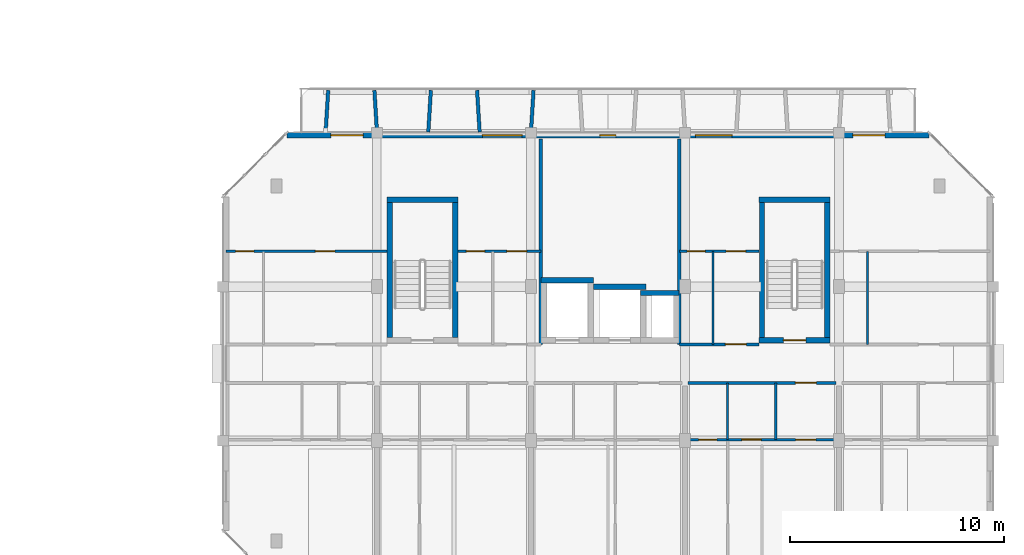
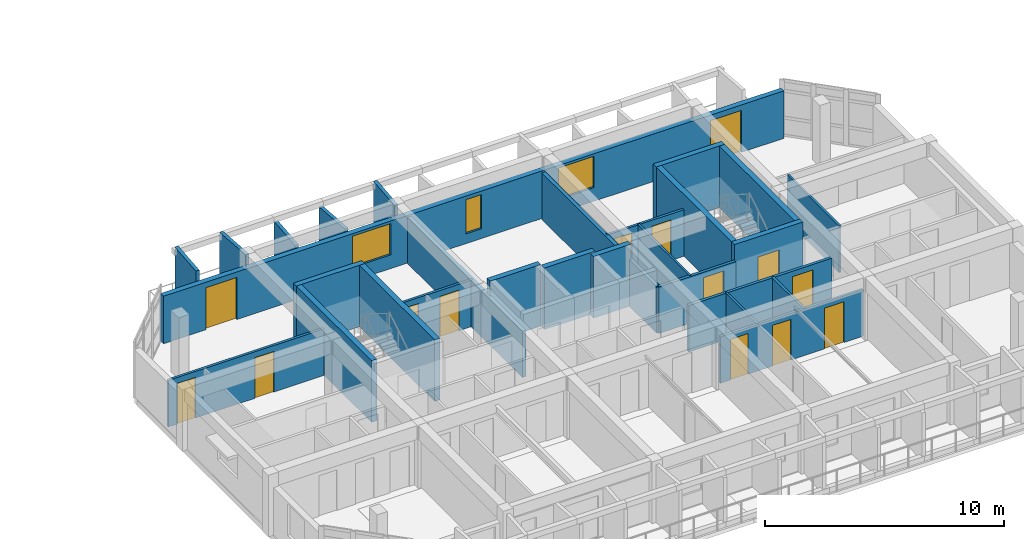
# One storey, part 24 of 44: 28 walls, 14 doors, 3 windows, 17 openings.
"""IFC4 building model written with IfcOpenShell, lengths in metres."""

from ifc_helpers import new_model, si_unit, direction, frame, frame_2d, origin, place, context, subcontext, project, spatial, rectangle, extrude, material, layer, layer_set, type_object, element, fill, save


model = new_model("IFC4")

# Units and contexts
model_context = context("Model", 3, precision=1e-05, world=origin(), true_north=direction((0.0, 1.0)))
body_context = subcontext(model_context, "Body", "Model", "MODEL_VIEW")
ifc_project = project(units=[si_unit("LENGTHUNIT", "METRE"), si_unit("AREAUNIT", "SQUARE_METRE"), si_unit("VOLUMEUNIT", "CUBIC_METRE"), si_unit("PLANEANGLEUNIT", "RADIAN"), si_unit("MASSUNIT", "GRAM", prefix="KILO")], contexts=[model_context])

# Site, building, storey
site_placement = place(None, origin())
site = spatial("IfcSite", under=ifc_project, at=site_placement, CompositionType="ELEMENT")
building_placement = place(site_placement, origin())
building = spatial("IfcBuilding", under=site, at=building_placement, Name="Ochrevale Crest", CompositionType="ELEMENT")
storey_placement = place(building_placement, frame((0.0, 0.0, 21.300048828125)))
storey = spatial("IfcBuildingStorey", under=building, at=storey_placement, Name="L06", CompositionType="ELEMENT", Elevation=21.300048828125)

# Wall, opening, door
ifc_material_1 = material(Name="Gypsum plasterboard", Category="gypsum")
ifc_layer_1 = layer(ifc_material_1, 0.139892578125)
ifc_layer_set_1 = layer_set([ifc_layer_1], Name="Gypsum plasterboard")
wall_type_1 = type_object("IfcWallType", Name="WL-COR-140", PredefinedType="PARTITIONING", material=ifc_layer_set_1)
wall_1_placement = place(storey_placement, frame((151.340087890625, 24.300048828125, 0.0), z_axis=(0.0, 0.0, 1.0), x_axis=(1.0, 0.0, 0.0)))
wall_1 = element("IfcWall", 1, at=wall_1_placement, inside=storey, type_object=wall_type_1, Name="Apartment C-L06-U4 corridor wall", PredefinedType="PARTITIONING", context=body_context, shape_type="SweptSolid", body=[
    extrude(rectangle(XDim=6.919921875, YDim=0.139892578125, at=frame_2d((3.4599609375, 0.0))), origin(), (0.0, 0.0, 1.0), 2.3798828125),
])
opening_1_placement = place(wall_1_placement, frame((6.0, 0.0, 0.0), z_axis=(0.0, 0.0, 1.0), x_axis=(-1.0, 0.0, 0.0)))
opening_1 = element("IfcOpeningElement", 2, at=opening_1_placement, cuts=wall_1, Name="Opening FD01", PredefinedType="OPENING", context=body_context, shape_type="SweptSolid", body=[
    extrude(rectangle(XDim=0.97998046875, YDim=2.10009765625, at=frame_2d((0.489990234375, 1.050048828125))), frame((0.0, 0.080078125, 0.0), z_axis=(0.0, -1.0, 0.0), x_axis=(1.0, 0.0, 0.0)), (0.0, 0.0, 1.0), 0.159912109375),
])
ifc_material_2 = material(Name="Solid-core FSC hardwood", Category="wood")
door_type_1 = type_object("IfcDoorType", Name="DR-APT-950", OperationType="NOTDEFINED", PredefinedType="DOOR", material=ifc_material_2)
door_1_placement = place(opening_1_placement, origin())
door_1 = element("IfcDoor", 3, at=door_1_placement, inside=storey, type_object=door_type_1, Name="Apartment C-L06-U4 entrance door", OperationType="SINGLE_SWING_RIGHT", OverallHeight=2.10009765625, OverallWidth=0.97998046875, PredefinedType="DOOR", context=body_context, shape_type="SweptSolid", body=[
    extrude(rectangle(XDim=0.97998046875, YDim=2.10009765625, at=frame_2d((0.489990234375, 1.050048828125))), frame((0.0, 0.02490234375, 0.0), z_axis=(0.0, -1.0, 0.0), x_axis=(1.0, 0.0, 0.0)), (0.0, 0.0, 1.0), 0.050048828125),
])
fill(opening_1, door_1)

wall_2_placement = place(storey_placement, frame((150.93994140625, 26.10009765625, 0.0), z_axis=(0.0, 0.0, 1.0), x_axis=(1.0, 0.0, 0.0)))
wall_2 = element("IfcWall", 4, at=wall_2_placement, inside=storey, type_object=wall_type_1, Name="Suite C-L06-ME corridor wall", PredefinedType="PARTITIONING", context=body_context, shape_type="SweptSolid", body=[
    extrude(rectangle(XDim=3.719970703125, YDim=0.139892578125, at=frame_2d((1.85986328125, 0.0))), origin(), (0.0, 0.0, 1.0), 2.3798828125),
])
opening_2_placement = place(wall_2_placement, frame((3.131103515625, 0.0, 0.0), z_axis=(0.0, 0.0, 1.0), x_axis=(-1.0, 0.0, 0.0)))
opening_2 = element("IfcOpeningElement", 5, at=opening_2_placement, cuts=wall_2, Name="Opening FD01", PredefinedType="OPENING", context=body_context, shape_type="SweptSolid", body=[
    extrude(rectangle(XDim=0.97998046875, YDim=2.10009765625, at=frame_2d((0.489990234375, 1.050048828125))), frame((0.0, 0.080078125, 0.0), z_axis=(0.0, -1.0, 0.0), x_axis=(1.0, 0.0, 0.0)), (0.0, 0.0, 1.0), 0.159912109375),
])
door_2_placement = place(opening_2_placement, origin())
door_2 = element("IfcDoor", 6, at=door_2_placement, inside=storey, type_object=door_type_1, Name="Suite C-L06-ME entrance door", OperationType="SINGLE_SWING_RIGHT", OverallHeight=2.10009765625, OverallWidth=0.97998046875, PredefinedType="DOOR", context=body_context, shape_type="SweptSolid", body=[
    extrude(rectangle(XDim=0.97998046875, YDim=2.10009765625, at=frame_2d((0.489990234375, 1.050048828125))), frame((0.0, 0.02490234375, 0.0), z_axis=(0.0, -1.0, 0.0), x_axis=(1.0, 0.0, 0.0)), (0.0, 0.0, 1.0), 0.050048828125),
])
fill(opening_2, door_2)

# Walls
ifc_material_3 = material(Name="Precast concrete C50/60", Category="concrete")
ifc_layer_2 = layer(ifc_material_3, 0.2548828125)
ifc_layer_set_2 = layer_set([ifc_layer_2], Name="Precast concrete C50/60")
wall_type_2 = type_object("IfcWallType", Name="WL-CORE-255", PredefinedType="SHEAR", material=ifc_layer_set_2)
wall_3_placement = place(storey_placement, frame((137.2724609375, 32.85009765625, 0.0), z_axis=(0.0, 0.0, 1.0), x_axis=(1.0, 0.0, 0.0)))
element("IfcWall", 7, at=wall_3_placement, inside=storey, type_object=wall_type_2, Name="Block C L06 Stair 1 precast core shear wall N", PredefinedType="SHEAR", context=body_context, shape_type="SweptSolid", body=[
    extrude(rectangle(XDim=3.304931640625, YDim=0.2548828125, at=frame_2d((1.65234375, 0.0))), origin(), (0.0, 0.0, 1.0), 3.14990234375),
])
for number, where, z_axis, x_axis, name in (
    (8, (137.39990234375, 26.427490234375, 0.0), (0.0, 0.0, 1.0), (0.0, 1.0, 0.0), "Block C L06 Stair 1 precast core shear wall W"),
    (9, (140.449951171875, 26.427490234375, 0.0), (0.0, 0.0, 1.0), (0.0, 1.0, 0.0), "Block C L06 Stair 1 precast core shear wall E"),
):
    element("IfcWall", number, at=place(storey_placement, frame(where, z_axis=z_axis, x_axis=x_axis)), inside=storey, type_object=wall_type_2, Name=name, PredefinedType="SHEAR", context=body_context, shape_type="SweptSolid", body=[
        extrude(rectangle(XDim=6.294921875, YDim=0.2548828125, at=frame_2d((3.1474609375, 0.0))), origin(), (0.0, 0.0, 1.0), 3.14990234375),
    ])

# Wall, opening, door
wall_4_placement = place(storey_placement, frame((154.672607421875, 26.300048828125, 0.0), z_axis=(0.0, 0.0, 1.0), x_axis=(1.0, 0.0, 0.0)))
wall_4 = element("IfcWall", 10, at=wall_4_placement, inside=storey, type_object=wall_type_2, Name="Block C L06 Stair 2 precast core shear wall S", PredefinedType="SHEAR", context=body_context, shape_type="SweptSolid", body=[
    extrude(rectangle(XDim=3.304931640625, YDim=0.2548828125, at=frame_2d((1.65234375, 0.0))), origin(), (0.0, 0.0, 1.0), 3.14990234375),
])
opening_3_placement = place(wall_4_placement, frame((1.12744140625, 0.0, 0.0)))
opening_3 = element("IfcOpeningElement", 11, at=opening_3_placement, cuts=wall_4, Name="Opening FD03", PredefinedType="OPENING", context=body_context, shape_type="SweptSolid", body=[
    extrude(rectangle(XDim=1.050048828125, YDim=2.1201171875, at=frame_2d((0.52490234375, 1.06005859375))), frame((0.0, 0.137451171875, 0.0), z_axis=(0.0, -1.0, 0.0), x_axis=(1.0, 0.0, 0.0)), (0.0, 0.0, 1.0), 0.27490234375),
])
door_type_2 = type_object("IfcDoorType", Name="DR-ST-1050", OperationType="NOTDEFINED", PredefinedType="DOOR", material=ifc_material_2)
door_3_placement = place(opening_3_placement, origin())
door_3 = element("IfcDoor", 12, at=door_3_placement, inside=storey, type_object=door_type_2, Name="Block C L06 fire stair 2 door", OperationType="SINGLE_SWING_LEFT", OverallHeight=2.1201171875, OverallWidth=1.050048828125, PredefinedType="DOOR", context=body_context, shape_type="SweptSolid", body=[
    extrude(rectangle(XDim=1.050048828125, YDim=2.1201171875, at=frame_2d((0.52490234375, 1.06005859375))), frame((0.0, 0.02490234375, 0.0), z_axis=(0.0, -1.0, 0.0), x_axis=(1.0, 0.0, 0.0)), (0.0, 0.0, 1.0), 0.050048828125),
])
fill(opening_3, door_3)

# Walls
wall_5_placement = place(storey_placement, frame((154.672607421875, 32.85009765625, 0.0), z_axis=(0.0, 0.0, 1.0), x_axis=(1.0, 0.0, 0.0)))
element("IfcWall", 13, at=wall_5_placement, inside=storey, type_object=wall_type_2, Name="Block C L06 Stair 2 precast core shear wall N", PredefinedType="SHEAR", context=body_context, shape_type="SweptSolid", body=[
    extrude(rectangle(XDim=3.304931640625, YDim=0.2548828125, at=frame_2d((1.65234375, 0.0))), origin(), (0.0, 0.0, 1.0), 3.14990234375),
])
for number, where, z_axis, x_axis, name in (
    (14, (154.800048828125, 26.427490234375, 0.0), (0.0, 0.0, 1.0), (0.0, 1.0, 0.0), "Block C L06 Stair 2 precast core shear wall W"),
    (15, (157.85009765625, 26.427490234375, 0.0), (0.0, 0.0, 1.0), (0.0, 1.0, 0.0), "Block C L06 Stair 2 precast core shear wall E"),
):
    element("IfcWall", number, at=place(storey_placement, frame(where, z_axis=z_axis, x_axis=x_axis)), inside=storey, type_object=wall_type_2, Name=name, PredefinedType="SHEAR", context=body_context, shape_type="SweptSolid", body=[
        extrude(rectangle(XDim=6.294921875, YDim=0.2548828125, at=frame_2d((3.1474609375, 0.0))), origin(), (0.0, 0.0, 1.0), 3.14990234375),
    ])
wall_6_placement = place(storey_placement, frame((144.472412109375, 29.10009765625, 0.0), z_axis=(0.0, 0.0, 1.0), x_axis=(1.0, 0.0, 0.0)))
element("IfcWall", 16, at=wall_6_placement, inside=storey, type_object=wall_type_2, Name="Block C L06 Lift 1 precast shaft shear wall N", PredefinedType="SHEAR", context=body_context, shape_type="SweptSolid", body=[
    extrude(rectangle(XDim=2.455078125, YDim=0.2548828125, at=frame_2d((1.2275390625, 0.0))), origin(), (0.0, 0.0, 1.0), 3.14990234375),
])
wall_7_placement = place(storey_placement, frame((146.922607421875, 28.800048828125, 0.0), z_axis=(0.0, 0.0, 1.0), x_axis=(1.0, 0.0, 0.0)))
element("IfcWall", 17, at=wall_7_placement, inside=storey, type_object=wall_type_2, Name="Block C L06 Lift 2 precast shaft shear wall N", PredefinedType="SHEAR", context=body_context, shape_type="SweptSolid", body=[
    extrude(rectangle(XDim=2.454833984375, YDim=0.2548828125, at=frame_2d((1.2275390625, 0.0))), origin(), (0.0, 0.0, 1.0), 3.14990234375),
])
wall_8_placement = place(storey_placement, frame((149.12255859375, 28.5, 0.0), z_axis=(0.0, 0.0, 1.0), x_axis=(1.0, 0.0, 0.0)))
element("IfcWall", 18, at=wall_8_placement, inside=storey, type_object=wall_type_2, Name="Block C L06 services riser shaft core wall N", PredefinedType="SHEAR", context=body_context, shape_type="SweptSolid", body=[
    extrude(rectangle(XDim=1.804931640625, YDim=0.2548828125, at=frame_2d((0.90234375, 0.0))), origin(), (0.0, 0.0, 1.0), 3.14990234375),
])

# Wall, openings, doors, windows
ifc_material_4 = material(Name="Precast concrete C40/50", Category="concrete")
ifc_layer_3 = layer(ifc_material_4, 0.25)
ifc_layer_set_3 = layer_set([ifc_layer_3], Name="Precast concrete C40/50")
wall_type_3 = type_object("IfcWallType", Name="WL-EXT-GOLD-250", PredefinedType="SOLIDWALL", material=ifc_layer_set_3)
wall_9_placement = place(storey_placement, frame((162.60009765625, 35.875, 0.0), z_axis=(0.0, 0.0, 1.0), x_axis=(-1.0, 0.0, 0.0)))
wall_9 = element("IfcWall", 19, at=wall_9_placement, inside=storey, type_object=wall_type_3, Name="Block C L06 external facade wall E5", PredefinedType="SOLIDWALL", context=body_context, shape_type="SweptSolid", body=[
    extrude(rectangle(XDim=30.0, YDim=0.25, at=frame_2d((15.0, 0.0))), origin(), (0.0, 0.0, 1.0), 2.429931640625),
])
opening_4_placement = place(wall_9_placement, frame((27.949951171875, 0.0, 0.0), z_axis=(0.0, 0.0, 1.0), x_axis=(-1.0, 0.0, 0.0)))
opening_4 = element("IfcOpeningElement", 20, at=opening_4_placement, cuts=wall_9, Name="Opening BD01", PredefinedType="OPENING", context=body_context, shape_type="SweptSolid", body=[
    extrude(rectangle(XDim=1.5, YDim=2.14990234375, at=frame_2d((0.75, 1.074951171875))), frame((0.0, 0.135009765625, 0.0), z_axis=(0.0, -1.0, 0.0), x_axis=(1.0, 0.0, 0.0)), (0.0, 0.0, 1.0), 0.27001953125),
])
opening_5_placement = place(wall_9_placement, frame((3.550048828125, 0.0, 0.0), z_axis=(0.0, 0.0, 1.0), x_axis=(-1.0, 0.0, 0.0)))
opening_5 = element("IfcOpeningElement", 21, at=opening_5_placement, cuts=wall_9, Name="Opening BD01", PredefinedType="OPENING", context=body_context, shape_type="SweptSolid", body=[
    extrude(rectangle(XDim=1.5, YDim=2.14990234375, at=frame_2d((0.75, 1.074951171875))), frame((0.0, 0.135009765625, 0.0), z_axis=(0.0, -1.0, 0.0), x_axis=(1.0, 0.0, 0.0)), (0.0, 0.0, 1.0), 0.27001953125),
])
opening_6_placement = place(wall_9_placement, frame((14.625, 0.0, 0.5)))
opening_6 = element("IfcOpeningElement", 22, at=opening_6_placement, cuts=wall_9, Name="Opening W16", PredefinedType="OPENING", context=body_context, shape_type="SweptSolid", body=[
    extrude(rectangle(XDim=0.75, YDim=1.75, at=frame_2d((0.375, 0.875))), frame((0.0, 0.135009765625, 0.0), z_axis=(0.0, -1.0, 0.0), x_axis=(1.0, 0.0, 0.0)), (0.0, 0.0, 1.0), 0.27001953125),
])
opening_7_placement = place(wall_9_placement, frame((9.195068359375, 0.0, 0.699951171875)))
opening_7 = element("IfcOpeningElement", 23, at=opening_7_placement, cuts=wall_9, Name="Opening W10", PredefinedType="OPENING", context=body_context, shape_type="SweptSolid", body=[
    extrude(rectangle(XDim=1.719970703125, YDim=1.60009765625, at=frame_2d((0.85986328125, 0.800048828125))), frame((0.0, 0.135009765625, 0.0), z_axis=(0.0, -1.0, 0.0), x_axis=(1.0, 0.0, 0.0)), (0.0, 0.0, 1.0), 0.27001953125),
])
opening_8_placement = place(wall_9_placement, frame((19.014892578125, 0.0, 0.699951171875)))
opening_8 = element("IfcOpeningElement", 24, at=opening_8_placement, cuts=wall_9, Name="Opening W11", PredefinedType="OPENING", context=body_context, shape_type="SweptSolid", body=[
    extrude(rectangle(XDim=1.860107421875, YDim=1.60009765625, at=frame_2d((0.93017578125, 0.800048828125))), frame((0.0, 0.135009765625, 0.0), z_axis=(0.0, -1.0, 0.0), x_axis=(1.0, 0.0, 0.0)), (0.0, 0.0, 1.0), 0.27001953125),
])
ifc_material_5 = material(Name="Anodised aluminium 6063-T5 and toughened glass", Category="aluminium")
door_type_3 = type_object("IfcDoorType", Name="DR-BAL-1500", OperationType="NOTDEFINED", PredefinedType="DOOR", material=ifc_material_5)
door_4_placement = place(opening_4_placement, origin())
door_4 = element("IfcDoor", 25, at=door_4_placement, inside=storey, type_object=door_type_3, Name="Block C L06 balcony door N1", OperationType="SINGLE_SWING_RIGHT", OverallHeight=2.14990234375, OverallWidth=1.5, PredefinedType="DOOR", context=body_context, shape_type="SweptSolid", body=[
    extrude(rectangle(XDim=1.5, YDim=2.14990234375, at=frame_2d((0.75, 1.074951171875))), frame((0.0, 0.02490234375, 0.0), z_axis=(0.0, -1.0, 0.0), x_axis=(1.0, 0.0, 0.0)), (0.0, 0.0, 1.0), 0.050048828125),
])
fill(opening_4, door_4)
door_5_placement = place(opening_5_placement, origin())
door_5 = element("IfcDoor", 26, at=door_5_placement, inside=storey, type_object=door_type_3, Name="Block C L06 balcony door N5", OperationType="SINGLE_SWING_LEFT", OverallHeight=2.14990234375, OverallWidth=1.5, PredefinedType="DOOR", context=body_context, shape_type="SweptSolid", body=[
    extrude(rectangle(XDim=1.5, YDim=2.14990234375, at=frame_2d((0.75, 1.074951171875))), frame((0.0, 0.02490234375, 0.0), z_axis=(0.0, -1.0, 0.0), x_axis=(1.0, 0.0, 0.0)), (0.0, 0.0, 1.0), 0.050048828125),
])
fill(opening_5, door_5)
ifc_material_6 = material(Name="Anodised aluminium 6063-T5 and low-E double glazing", Category="aluminium")
window_type_1 = type_object("IfcWindowType", Name="WIN-W10", PartitioningType="SINGLE_PANEL", PredefinedType="WINDOW", material=ifc_material_6)
window_1_placement = place(opening_7_placement, origin())
window_1 = element("IfcWindow", 27, at=window_1_placement, inside=storey, type_object=window_type_1, Name="Block C L06 Suite C-L06-ME Garden Alcove Studio window", OverallHeight=1.60009765625, OverallWidth=1.719970703125, PartitioningType="SINGLE_PANEL", PredefinedType="WINDOW", context=body_context, shape_type="SweptSolid", body=[
    extrude(rectangle(XDim=1.719970703125, YDim=1.60009765625, at=frame_2d((0.85986328125, 0.800048828125))), frame((0.0, 0.030029296875, 0.0), z_axis=(0.0, -1.0, 0.0), x_axis=(1.0, 0.0, 0.0)), (0.0, 0.0, 1.0), 0.06005859375),
])
fill(opening_7, window_1)
window_type_2 = type_object("IfcWindowType", Name="WIN-W11", PartitioningType="SINGLE_PANEL", PredefinedType="WINDOW", material=ifc_material_6)
window_2_placement = place(opening_8_placement, origin())
window_2 = element("IfcWindow", 28, at=window_2_placement, inside=storey, type_object=window_type_2, Name="Block C L06 Suite C-L06-MW Courtyard Studio Living window", OverallHeight=1.60009765625, OverallWidth=1.860107421875, PartitioningType="SINGLE_PANEL", PredefinedType="WINDOW", context=body_context, shape_type="SweptSolid", body=[
    extrude(rectangle(XDim=1.860107421875, YDim=1.60009765625, at=frame_2d((0.93017578125, 0.800048828125))), frame((0.0, 0.030029296875, 0.0), z_axis=(0.0, -1.0, 0.0), x_axis=(1.0, 0.0, 0.0)), (0.0, 0.0, 1.0), 0.06005859375),
])
fill(opening_8, window_2)
window_type_3 = type_object("IfcWindowType", Name="WIN-W16", PartitioningType="SINGLE_PANEL", PredefinedType="WINDOW", material=ifc_material_6)
window_3_placement = place(opening_6_placement, origin())
window_3 = element("IfcWindow", 29, at=window_3_placement, inside=storey, type_object=window_type_3, Name="Block C L06 core lancet window", OverallHeight=1.75, OverallWidth=0.75, PartitioningType="SINGLE_PANEL", PredefinedType="WINDOW", context=body_context, shape_type="SweptSolid", body=[
    extrude(rectangle(XDim=0.75, YDim=1.75, at=frame_2d((0.375, 0.875))), frame((0.0, 0.030029296875, 0.0), z_axis=(0.0, -1.0, 0.0), x_axis=(1.0, 0.0, 0.0)), (0.0, 0.0, 1.0), 0.06005859375),
])
fill(opening_6, window_3)

# Walls
ifc_layer_4 = layer(ifc_material_4, 0.1650390625)
ifc_layer_set_4 = layer_set([ifc_layer_4], Name="Precast concrete C40/50")
wall_type_4 = type_object("IfcWallType", Name="WL-HC-CHEEK-165", PredefinedType="ELEMENTEDWALL", material=ifc_layer_set_4)
for number, where, z_axis, x_axis, name in (
    (30, (134.39990234375, 36.02001953125, 0.0), (0.0, 0.0, 1.0), (0.061170732449, 0.998127317276, 0.0), "Block C L06 N precast honeycomb cheek 1"),
    (31, (136.800048828125, 36.02001953125, 0.0), (0.0, 0.0, 1.0), (-0.061170732449, 0.998127317276, 0.0), "Block C L06 N precast honeycomb cheek 2"),
):
    element("IfcWall", number, at=place(storey_placement, frame(where, z_axis=z_axis, x_axis=x_axis)), inside=storey, type_object=wall_type_4, Name=name, PredefinedType="ELEMENTEDWALL", context=body_context, shape_type="SweptSolid", body=[
        extrude(rectangle(XDim=1.963623046875, YDim=0.1650390625, at=frame_2d((0.98193359375, 0.0))), origin(), (0.0, 0.0, 1.0), 2.949951171875),
    ])
for number, where, z_axis, x_axis, name in (
    (32, (139.199951171875, 36.02001953125, 0.0), (0.0, 0.0, 1.0), (0.061170732449, 0.998127317276, 0.0), "Block C L06 N precast honeycomb cheek 3"),
    (33, (141.60009765625, 36.02001953125, 0.0), (0.0, 0.0, 1.0), (-0.061170732449, 0.998127317276, 0.0), "Block C L06 N precast honeycomb cheek 4"),
):
    element("IfcWall", number, at=place(storey_placement, frame(where, z_axis=z_axis, x_axis=x_axis)), inside=storey, type_object=wall_type_4, Name=name, PredefinedType="ELEMENTEDWALL", context=body_context, shape_type="SweptSolid", body=[
        extrude(rectangle(XDim=1.963623046875, YDim=0.1650390625, at=frame_2d((0.98193359375, 0.0))), origin(), (0.0, 0.0, 1.0), 2.579833984375),
    ])
wall_10_placement = place(storey_placement, frame((144.0, 36.02001953125, 0.0), z_axis=(0.0, 0.0, 1.0), x_axis=(0.061170732449, 0.998127317276, 0.0)))
element("IfcWall", 34, at=wall_10_placement, inside=storey, type_object=wall_type_4, Name="Block C L06 N precast honeycomb cheek 5", PredefinedType="ELEMENTEDWALL", context=body_context, shape_type="SweptSolid", body=[
    extrude(rectangle(XDim=1.963623046875, YDim=0.1650390625, at=frame_2d((0.98193359375, 0.0))), origin(), (0.0, 0.0, 1.0), 2.949951171875),
])
ifc_layer_5 = layer(ifc_material_1, 0.1201171875)
ifc_layer_set_5 = layer_set([ifc_layer_5], Name="Gypsum plasterboard")
wall_type_5 = type_object("IfcWallType", Name="WL-PART-120", PredefinedType="PARTITIONING", material=ifc_layer_set_5)
wall_11_placement = place(storey_placement, frame((155.43994140625, 21.64990234375, 0.0), z_axis=(0.0, 0.0, 1.0), x_axis=(0.0, 1.0, 0.0)))
element("IfcWall", 35, at=wall_11_placement, inside=storey, type_object=wall_type_5, Name="Apartment C-L06-U4 kitchen-foyer wall", PredefinedType="PARTITIONING", context=body_context, shape_type="SweptSolid", body=[
    extrude(rectangle(XDim=2.650146484375, YDim=0.1201171875, at=frame_2d((1.3251953125, 0.0))), origin(), (0.0, 0.0, 1.0), 2.3798828125),
])

# Wall, openings, doors
wall_12_placement = place(storey_placement, frame((151.340087890625, 21.64990234375, 0.0), z_axis=(0.0, 0.0, 1.0), x_axis=(1.0, 0.0, 0.0)))
wall_12 = element("IfcWall", 36, at=wall_12_placement, inside=storey, type_object=wall_type_5, Name="Apartment C-L06-U4 central partition", PredefinedType="PARTITIONING", context=body_context, shape_type="SweptSolid", body=[
    extrude(rectangle(XDim=6.919921875, YDim=0.1201171875, at=frame_2d((3.4599609375, 0.0))), origin(), (0.0, 0.0, 1.0), 2.3798828125),
])
opening_9_placement = place(wall_12_placement, frame((0.5, 0.0, 0.0)))
opening_9 = element("IfcOpeningElement", 37, at=opening_9_placement, cuts=wall_12, Name="Opening ID01", PredefinedType="OPENING", context=body_context, shape_type="SweptSolid", body=[
    extrude(rectangle(XDim=0.85009765625, YDim=2.080078125, at=frame_2d((0.425048828125, 1.0400390625))), frame((0.0, 0.070068359375, 0.0), z_axis=(0.0, -1.0, 0.0), x_axis=(1.0, 0.0, 0.0)), (0.0, 0.0, 1.0), 0.14013671875),
])
opening_10_placement = place(wall_12_placement, frame((3.4248046875, 0.0, 0.0), z_axis=(0.0, 0.0, 1.0), x_axis=(-1.0, 0.0, 0.0)))
opening_10 = element("IfcOpeningElement", 38, at=opening_10_placement, cuts=wall_12, Name="Opening ID02", PredefinedType="OPENING", context=body_context, shape_type="SweptSolid", body=[
    extrude(rectangle(XDim=0.89990234375, YDim=2.080078125, at=frame_2d((0.449951171875, 1.0400390625))), frame((0.0, 0.070068359375, 0.0), z_axis=(0.0, -1.0, 0.0), x_axis=(1.0, 0.0, 0.0)), (0.0, 0.0, 1.0), 0.14013671875),
])
opening_11_placement = place(wall_12_placement, frame((5.034912109375, 0.0, 0.0)))
opening_11 = element("IfcOpeningElement", 39, at=opening_11_placement, cuts=wall_12, Name="Opening ID06", PredefinedType="OPENING", context=body_context, shape_type="SweptSolid", body=[
    extrude(rectangle(XDim=0.949951171875, YDim=2.080078125, at=frame_2d((0.47509765625, 1.0400390625))), frame((0.0, 0.070068359375, 0.0), z_axis=(0.0, -1.0, 0.0), x_axis=(1.0, 0.0, 0.0)), (0.0, 0.0, 1.0), 0.14013671875),
])
door_type_4 = type_object("IfcDoorType", Name="DR-INT-900", OperationType="NOTDEFINED", PredefinedType="DOOR", material=ifc_material_2)
door_6_placement = place(opening_10_placement, origin())
door_6 = element("IfcDoor", 40, at=door_6_placement, inside=storey, type_object=door_type_4, Name="Apartment C-L06-U4 Kitchen door", OperationType="SINGLE_SWING_RIGHT", OverallHeight=2.080078125, OverallWidth=0.89990234375, PredefinedType="DOOR", context=body_context, shape_type="SweptSolid", body=[
    extrude(rectangle(XDim=0.89990234375, YDim=2.080078125, at=frame_2d((0.449951171875, 1.0400390625))), frame((0.0, 0.02490234375, 0.0), z_axis=(0.0, -1.0, 0.0), x_axis=(1.0, 0.0, 0.0)), (0.0, 0.0, 1.0), 0.050048828125),
])
fill(opening_10, door_6)
door_type_5 = type_object("IfcDoorType", Name="DR-INT-950", OperationType="NOTDEFINED", PredefinedType="DOOR", material=ifc_material_2)
door_7_placement = place(opening_11_placement, origin())
door_7 = element("IfcDoor", 41, at=door_7_placement, inside=storey, type_object=door_type_5, Name="Apartment C-L06-U4 Living Foyer door", OperationType="SINGLE_SWING_LEFT", OverallHeight=2.080078125, OverallWidth=0.949951171875, PredefinedType="DOOR", context=body_context, shape_type="SweptSolid", body=[
    extrude(rectangle(XDim=0.949951171875, YDim=2.080078125, at=frame_2d((0.47509765625, 1.0400390625))), frame((0.0, 0.02490234375, 0.0), z_axis=(0.0, -1.0, 0.0), x_axis=(1.0, 0.0, 0.0)), (0.0, 0.0, 1.0), 0.050048828125),
])
fill(opening_11, door_7)
door_type_6 = type_object("IfcDoorType", Name="DR-WC-850", OperationType="NOTDEFINED", PredefinedType="DOOR", material=ifc_material_2)
door_8_placement = place(opening_9_placement, origin())
door_8 = element("IfcDoor", 42, at=door_8_placement, inside=storey, type_object=door_type_6, Name="Apartment C-L06-U4 Bathroom door", OperationType="SINGLE_SWING_LEFT", OverallHeight=2.080078125, OverallWidth=0.85009765625, PredefinedType="DOOR", context=body_context, shape_type="SweptSolid", body=[
    extrude(rectangle(XDim=0.85009765625, YDim=2.080078125, at=frame_2d((0.425048828125, 1.0400390625))), frame((0.0, 0.02490234375, 0.0), z_axis=(0.0, -1.0, 0.0), x_axis=(1.0, 0.0, 0.0)), (0.0, 0.0, 1.0), 0.050048828125),
])
fill(opening_9, door_8)

wall_13_placement = place(storey_placement, frame((129.739990234375, 30.449951171875, 0.0), z_axis=(0.0, 0.0, 1.0), x_axis=(1.0, 0.0, 0.0)))
wall_13 = element("IfcWall", 43, at=wall_13_placement, inside=storey, type_object=wall_type_5, Name="Suite C-L06-CW internal wall", PredefinedType="PARTITIONING", context=body_context, shape_type="SweptSolid", body=[
    extrude(rectangle(XDim=7.52001953125, YDim=0.1201171875, at=frame_2d((3.760009765625, 0.0))), origin(), (0.0, 0.0, 1.0), 2.3798828125),
])
opening_12_placement = place(wall_13_placement, frame((0.449951171875, 0.0, 0.0)))
opening_12 = element("IfcOpeningElement", 44, at=opening_12_placement, cuts=wall_13, Name="Opening ID01", PredefinedType="OPENING", context=body_context, shape_type="SweptSolid", body=[
    extrude(rectangle(XDim=0.85009765625, YDim=2.080078125, at=frame_2d((0.425048828125, 1.0400390625))), frame((0.0, 0.070068359375, 0.0), z_axis=(0.0, -1.0, 0.0), x_axis=(1.0, 0.0, 0.0)), (0.0, 0.0, 1.0), 0.14013671875),
])
opening_13_placement = place(wall_13_placement, frame((5.094970703125, 0.0, 0.0), z_axis=(0.0, 0.0, 1.0), x_axis=(-1.0, 0.0, 0.0)))
opening_13 = element("IfcOpeningElement", 45, at=opening_13_placement, cuts=wall_13, Name="Opening ID04", PredefinedType="OPENING", context=body_context, shape_type="SweptSolid", body=[
    extrude(rectangle(XDim=0.919921875, YDim=2.080078125, at=frame_2d((0.4599609375, 1.0400390625))), frame((0.0, 0.070068359375, 0.0), z_axis=(0.0, -1.0, 0.0), x_axis=(1.0, 0.0, 0.0)), (0.0, 0.0, 1.0), 0.14013671875),
])
door_type_7 = type_object("IfcDoorType", Name="DR-INT-920", OperationType="NOTDEFINED", PredefinedType="DOOR", material=ifc_material_2)
door_9_placement = place(opening_13_placement, origin())
door_9 = element("IfcDoor", 46, at=door_9_placement, inside=storey, type_object=door_type_7, Name="Suite C-L06-CW Garden Alcove Studio door", OperationType="SINGLE_SWING_RIGHT", OverallHeight=2.080078125, OverallWidth=0.919921875, PredefinedType="DOOR", context=body_context, shape_type="SweptSolid", body=[
    extrude(rectangle(XDim=0.919921875, YDim=2.080078125, at=frame_2d((0.4599609375, 1.0400390625))), frame((0.0, 0.02490234375, 0.0), z_axis=(0.0, -1.0, 0.0), x_axis=(1.0, 0.0, 0.0)), (0.0, 0.0, 1.0), 0.050048828125),
])
fill(opening_13, door_9)
door_10_placement = place(opening_12_placement, origin())
door_10 = element("IfcDoor", 47, at=door_10_placement, inside=storey, type_object=door_type_6, Name="Suite C-L06-CW Bathroom door", OperationType="SINGLE_SWING_LEFT", OverallHeight=2.080078125, OverallWidth=0.85009765625, PredefinedType="DOOR", context=body_context, shape_type="SweptSolid", body=[
    extrude(rectangle(XDim=0.85009765625, YDim=2.080078125, at=frame_2d((0.425048828125, 1.0400390625))), frame((0.0, 0.02490234375, 0.0), z_axis=(0.0, -1.0, 0.0), x_axis=(1.0, 0.0, 0.0)), (0.0, 0.0, 1.0), 0.050048828125),
])
fill(opening_12, door_10)

wall_14_placement = place(storey_placement, frame((140.590087890625, 30.449951171875, 0.0), z_axis=(0.0, 0.0, 1.0), x_axis=(1.0, 0.0, 0.0)))
wall_14 = element("IfcWall", 48, at=wall_14_placement, inside=storey, type_object=wall_type_5, Name="Suite C-L06-MW internal wall", PredefinedType="PARTITIONING", context=body_context, shape_type="SweptSolid", body=[
    extrude(rectangle(XDim=3.869873046875, YDim=0.1201171875, at=frame_2d((1.93505859375, 0.0))), origin(), (0.0, 0.0, 1.0), 2.3798828125),
])
opening_14_placement = place(wall_14_placement, frame((1.23779296875, 0.0, 0.0), z_axis=(0.0, 0.0, 1.0), x_axis=(-1.0, 0.0, 0.0)))
opening_14 = element("IfcOpeningElement", 49, at=opening_14_placement, cuts=wall_14, Name="Opening ID01", PredefinedType="OPENING", context=body_context, shape_type="SweptSolid", body=[
    extrude(rectangle(XDim=0.85009765625, YDim=2.080078125, at=frame_2d((0.425048828125, 1.0400390625))), frame((0.0, 0.070068359375, 0.0), z_axis=(0.0, -1.0, 0.0), x_axis=(1.0, 0.0, 0.0)), (0.0, 0.0, 1.0), 0.14013671875),
])
opening_15_placement = place(wall_14_placement, frame((2.28759765625, 0.0, 0.0)))
opening_15 = element("IfcOpeningElement", 50, at=opening_15_placement, cuts=wall_14, Name="Opening ID04", PredefinedType="OPENING", context=body_context, shape_type="SweptSolid", body=[
    extrude(rectangle(XDim=0.919921875, YDim=2.080078125, at=frame_2d((0.4599609375, 1.0400390625))), frame((0.0, 0.070068359375, 0.0), z_axis=(0.0, -1.0, 0.0), x_axis=(1.0, 0.0, 0.0)), (0.0, 0.0, 1.0), 0.14013671875),
])
door_11_placement = place(opening_15_placement, origin())
door_11 = element("IfcDoor", 51, at=door_11_placement, inside=storey, type_object=door_type_7, Name="Suite C-L06-MW Courtyard Studio Living door", OperationType="SINGLE_SWING_LEFT", OverallHeight=2.080078125, OverallWidth=0.919921875, PredefinedType="DOOR", context=body_context, shape_type="SweptSolid", body=[
    extrude(rectangle(XDim=0.919921875, YDim=2.080078125, at=frame_2d((0.4599609375, 1.0400390625))), frame((0.0, 0.02490234375, 0.0), z_axis=(0.0, -1.0, 0.0), x_axis=(1.0, 0.0, 0.0)), (0.0, 0.0, 1.0), 0.050048828125),
])
fill(opening_15, door_11)
door_12_placement = place(opening_14_placement, origin())
door_12 = element("IfcDoor", 52, at=door_12_placement, inside=storey, type_object=door_type_6, Name="Suite C-L06-MW Bathroom door", OperationType="SINGLE_SWING_RIGHT", OverallHeight=2.080078125, OverallWidth=0.85009765625, PredefinedType="DOOR", context=body_context, shape_type="SweptSolid", body=[
    extrude(rectangle(XDim=0.85009765625, YDim=2.080078125, at=frame_2d((0.425048828125, 1.0400390625))), frame((0.0, 0.02490234375, 0.0), z_axis=(0.0, -1.0, 0.0), x_axis=(1.0, 0.0, 0.0)), (0.0, 0.0, 1.0), 0.050048828125),
])
fill(opening_14, door_12)

wall_15_placement = place(storey_placement, frame((150.93994140625, 30.449951171875, 0.0), z_axis=(0.0, 0.0, 1.0), x_axis=(1.0, 0.0, 0.0)))
wall_15 = element("IfcWall", 53, at=wall_15_placement, inside=storey, type_object=wall_type_5, Name="Suite C-L06-ME internal wall", PredefinedType="PARTITIONING", context=body_context, shape_type="SweptSolid", body=[
    extrude(rectangle(XDim=3.719970703125, YDim=0.1201171875, at=frame_2d((1.85986328125, 0.0))), origin(), (0.0, 0.0, 1.0), 2.3798828125),
])
opening_16_placement = place(wall_15_placement, frame((0.356201171875, 0.0, 0.0)))
opening_16 = element("IfcOpeningElement", 54, at=opening_16_placement, cuts=wall_15, Name="Opening ID01", PredefinedType="OPENING", context=body_context, shape_type="SweptSolid", body=[
    extrude(rectangle(XDim=0.85009765625, YDim=2.080078125, at=frame_2d((0.425048828125, 1.0400390625))), frame((0.0, 0.070068359375, 0.0), z_axis=(0.0, -1.0, 0.0), x_axis=(1.0, 0.0, 0.0)), (0.0, 0.0, 1.0), 0.14013671875),
])
opening_17_placement = place(wall_15_placement, frame((3.10107421875, 0.0, 0.0), z_axis=(0.0, 0.0, 1.0), x_axis=(-1.0, 0.0, 0.0)))
opening_17 = element("IfcOpeningElement", 55, at=opening_17_placement, cuts=wall_15, Name="Opening ID04", PredefinedType="OPENING", context=body_context, shape_type="SweptSolid", body=[
    extrude(rectangle(XDim=0.919921875, YDim=2.080078125, at=frame_2d((0.4599609375, 1.0400390625))), frame((0.0, 0.070068359375, 0.0), z_axis=(0.0, -1.0, 0.0), x_axis=(1.0, 0.0, 0.0)), (0.0, 0.0, 1.0), 0.14013671875),
])
door_13_placement = place(opening_17_placement, origin())
door_13 = element("IfcDoor", 56, at=door_13_placement, inside=storey, type_object=door_type_7, Name="Suite C-L06-ME Garden Alcove Studio door", OperationType="SINGLE_SWING_RIGHT", OverallHeight=2.080078125, OverallWidth=0.919921875, PredefinedType="DOOR", context=body_context, shape_type="SweptSolid", body=[
    extrude(rectangle(XDim=0.919921875, YDim=2.080078125, at=frame_2d((0.4599609375, 1.0400390625))), frame((0.0, 0.02490234375, 0.0), z_axis=(0.0, -1.0, 0.0), x_axis=(1.0, 0.0, 0.0)), (0.0, 0.0, 1.0), 0.050048828125),
])
fill(opening_17, door_13)
door_14_placement = place(opening_16_placement, origin())
door_14 = element("IfcDoor", 57, at=door_14_placement, inside=storey, type_object=door_type_6, Name="Suite C-L06-ME Bathroom door", OperationType="SINGLE_SWING_LEFT", OverallHeight=2.080078125, OverallWidth=0.85009765625, PredefinedType="DOOR", context=body_context, shape_type="SweptSolid", body=[
    extrude(rectangle(XDim=0.85009765625, YDim=2.080078125, at=frame_2d((0.425048828125, 1.0400390625))), frame((0.0, 0.02490234375, 0.0), z_axis=(0.0, -1.0, 0.0), x_axis=(1.0, 0.0, 0.0)), (0.0, 0.0, 1.0), 0.050048828125),
])
fill(opening_16, door_14)

# Walls
ifc_layer_6 = layer(ifc_material_1, 0.169921875)
ifc_layer_set_6 = layer_set([ifc_layer_6], Name="Gypsum plasterboard")
wall_type_6 = type_object("IfcWallType", Name="WL-TEN-170", PredefinedType="PARTITIONING", material=ifc_layer_set_6)
for number, where, z_axis, x_axis, name in (
    (58, (144.4599609375, 26.10009765625, 0.0), (0.0, 0.0, 1.0), (0.0, 1.0, 0.0), "Suite C-L06-MW east party wall"),
    (59, (150.93994140625, 26.10009765625, 0.0), (0.0, 0.0, 1.0), (0.0, 1.0, 0.0), "Suite C-L06-ME west party wall"),
):
    element("IfcWall", number, at=place(storey_placement, frame(where, z_axis=z_axis, x_axis=x_axis)), inside=storey, type_object=wall_type_6, Name=name, PredefinedType="PARTITIONING", context=body_context, shape_type="SweptSolid", body=[
        extrude(rectangle(XDim=9.599853515625, YDim=0.169921875, at=frame_2d((4.7998046875, 0.0))), origin(), (0.0, 0.0, 1.0), 2.3798828125),
    ])
ifc_layer_7 = layer(ifc_material_1, 0.10009765625)
ifc_layer_set_7 = layer_set([ifc_layer_7], Name="Gypsum plasterboard")
wall_type_7 = type_object("IfcWallType", Name="WL-WET-100", PredefinedType="PARTITIONING", material=ifc_layer_set_7)
wall_16_placement = place(storey_placement, frame((153.18994140625, 21.64990234375, 0.0), z_axis=(0.0, 0.0, 1.0), x_axis=(0.0, 1.0, 0.0)))
element("IfcWall", 60, at=wall_16_placement, inside=storey, type_object=wall_type_7, Name="Apartment C-L06-U4 bath-kitchen wall", PredefinedType="PARTITIONING", context=body_context, shape_type="SweptSolid", body=[
    extrude(rectangle(XDim=2.650146484375, YDim=0.10009765625, at=frame_2d((1.3251953125, 0.0))), origin(), (0.0, 0.0, 1.0), 2.3798828125),
])
for number, where, z_axis, x_axis, name in (
    (61, (152.50244140625, 26.10009765625, 0.0), (0.0, 0.0, 1.0), (0.0, 1.0, 0.0), "Suite C-L06-ME bathroom divider"),
    (62, (159.739990234375, 26.10009765625, 0.0), (0.0, 0.0, 1.0), (0.0, 1.0, 0.0), "Suite C-L06-CE bathroom divider"),
):
    element("IfcWall", number, at=place(storey_placement, frame(where, z_axis=z_axis, x_axis=x_axis)), inside=storey, type_object=wall_type_7, Name=name, PredefinedType="PARTITIONING", context=body_context, shape_type="SweptSolid", body=[
        extrude(rectangle(XDim=4.349853515625, YDim=0.10009765625, at=frame_2d((2.1748046875, 0.0))), origin(), (0.0, 0.0, 1.0), 2.3798828125),
    ])

save(model, "model.ifc")
